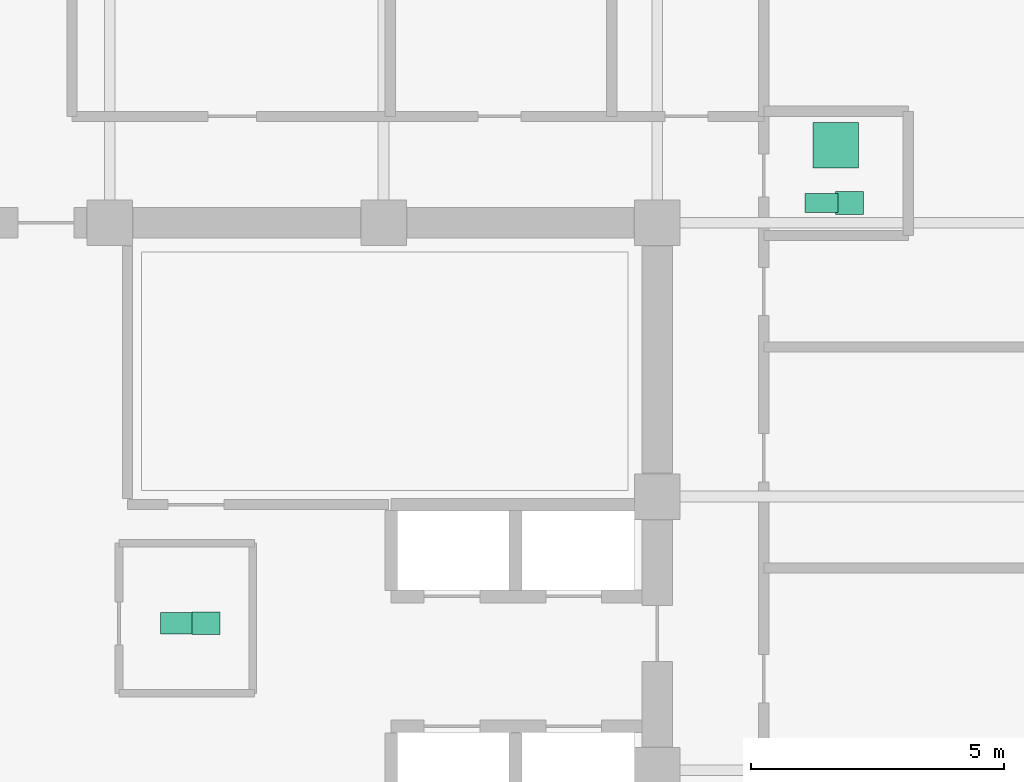
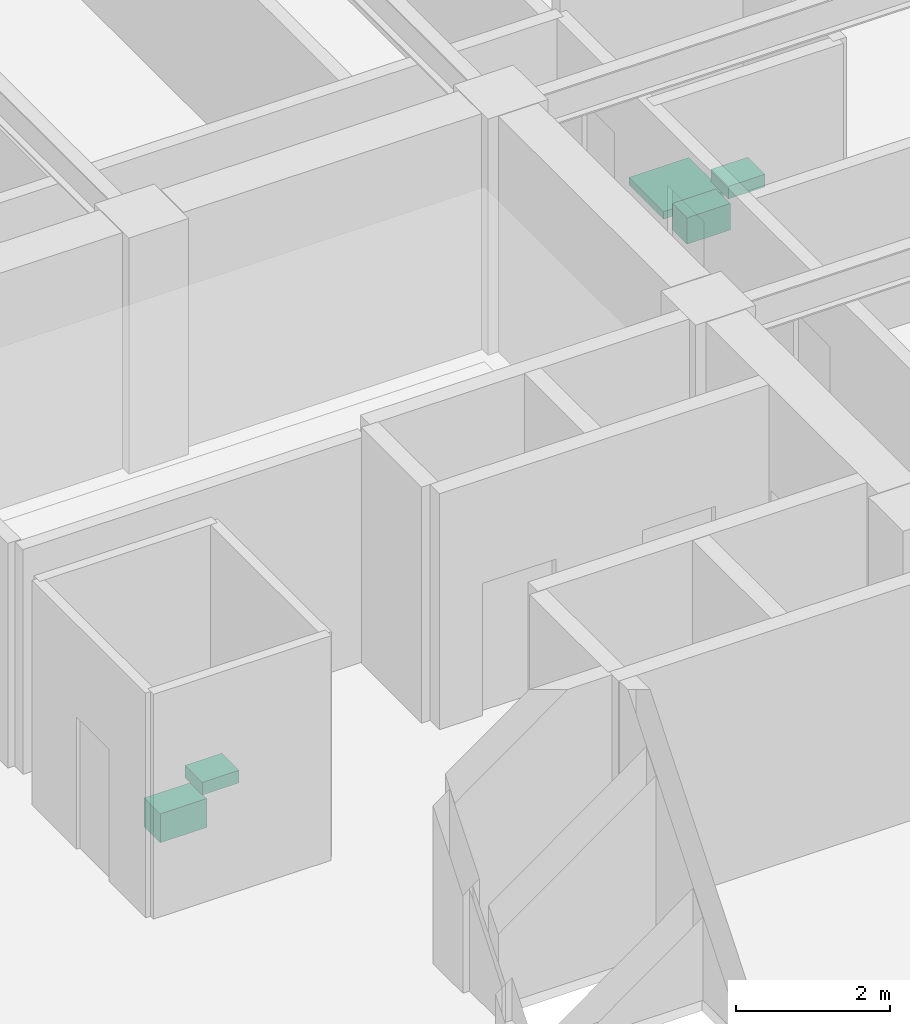
# One storey, part 28 of 28: 5 sanitary terminals.
"""IFC4 building model written with IfcOpenShell, lengths in metres."""

from ifc_helpers import new_model, si_unit, direction, frame, origin, origin_2d, place, context, subcontext, project, spatial, rectangle, extrude, material, type_object, element, save


model = new_model("IFC4")

# Units and contexts
model_context = context("Model", 3, precision=1e-05, world=origin(), true_north=direction((0.0, 1.0)))
body_context = subcontext(model_context, "Body", "Model", "MODEL_VIEW")
ifc_project = project(units=[si_unit("LENGTHUNIT", "METRE"), si_unit("AREAUNIT", "SQUARE_METRE"), si_unit("VOLUMEUNIT", "CUBIC_METRE"), si_unit("PLANEANGLEUNIT", "RADIAN"), si_unit("MASSUNIT", "GRAM", prefix="KILO")], contexts=[model_context])

# Site, building, storey
site_placement = place(None, origin())
site = spatial("IfcSite", under=ifc_project, at=site_placement, CompositionType="ELEMENT")
building_placement = place(site_placement, origin())
building = spatial("IfcBuilding", under=site, at=building_placement, Name="Surkhivell Harbour Commons", CompositionType="ELEMENT")
storey_placement = place(building_placement, frame((0.0, 0.0, 178.5)))
storey = spatial("IfcBuildingStorey", under=building, at=storey_placement, Name="L46", CompositionType="ELEMENT", Elevation=178.5)

# Sanitary terminals
ifc_material_1 = material(Name="Vitreous china washbasin", Category="other")
sanitary_terminal_type_1 = type_object("IfcSanitaryTerminalType", Name="SAN-BSN", PredefinedType="WASHHANDBASIN", material=ifc_material_1)
for number, where, z_axis, x_axis, name in (
    (1, (1.89990234375, 2.89990234375, 0.72021484375), (0.0, 0.0, 1.0), (1.0, 0.0, 0.0), "L46 Core Accessible WC Washbasin"),
    (2, (14.590087890625, 11.18994140625, 0.72021484375), (0.0, 0.0, 1.0), (1.0, 0.0, 0.0), "L46 East Communal Bathroom WC Washbasin"),
):
    element("IfcSanitaryTerminal", number, at=place(storey_placement, frame(where, z_axis=z_axis, x_axis=x_axis)), inside=storey, type_object=sanitary_terminal_type_1, Name=name, PredefinedType="WASHHANDBASIN", context=body_context, shape_type="SweptSolid", body=[
        extrude(rectangle(XDim=0.550048828125, YDim=0.449951171875, at=origin_2d()), origin(), (0.0, 0.0, 1.0), 0.199951171875),
    ])
ifc_material_2 = material(Name="Glazed porcelain shower tray", Category="other")
sanitary_terminal_type_2 = type_object("IfcSanitaryTerminalType", Name="SAN-SHW", PredefinedType="SHOWER", material=ifc_material_2)
sanitary_terminal_1_placement = place(storey_placement, frame((14.320068359375, 12.330078125, 0.0), z_axis=(0.0, 0.0, 1.0), x_axis=(1.0, 0.0, 0.0)))
element("IfcSanitaryTerminal", 3, at=sanitary_terminal_1_placement, inside=storey, type_object=sanitary_terminal_type_2, Name="L46 East Communal Shower Tray", PredefinedType="SHOWER", context=body_context, shape_type="SweptSolid", body=[
    extrude(rectangle(XDim=0.89990234375, YDim=0.89990234375, at=origin_2d()), origin(), (0.0, 0.0, 1.0), 0.1201171875),
])
ifc_material_3 = material(Name="Vitreous china sanitaryware", Category="other")
sanitary_terminal_type_3 = type_object("IfcSanitaryTerminalType", Name="SAN-WC-ACC", PredefinedType="TOILETPAN", material=ifc_material_3)
sanitary_terminal_2_placement = place(storey_placement, frame((1.35009765625, 2.89990234375, 0.169921875), z_axis=(0.0, 0.0, 1.0), x_axis=(1.0, 0.0, 0.0)))
element("IfcSanitaryTerminal", 4, at=sanitary_terminal_2_placement, inside=storey, type_object=sanitary_terminal_type_3, Name="L46 Core Accessible WC", PredefinedType="TOILETPAN", context=body_context, shape_type="SweptSolid", body=[
    extrude(rectangle(XDim=0.699951171875, YDim=0.419921875, at=origin_2d()), origin(), (0.0, 0.0, 1.0), 0.4599609375),
])
sanitary_terminal_type_4 = type_object("IfcSanitaryTerminalType", Name="SAN-WC-STD", PredefinedType="TOILETPAN", material=ifc_material_3)
sanitary_terminal_3_placement = place(storey_placement, frame((14.0400390625, 11.18994140625, 0.18994140625), z_axis=(0.0, 0.0, 1.0), x_axis=(1.0, 0.0, 0.0)))
element("IfcSanitaryTerminal", 5, at=sanitary_terminal_3_placement, inside=storey, type_object=sanitary_terminal_type_4, Name="L46 East Communal Bathroom WC", PredefinedType="TOILETPAN", context=body_context, shape_type="SweptSolid", body=[
    extrude(rectangle(XDim=0.64990234375, YDim=0.3798828125, at=origin_2d()), origin(), (0.0, 0.0, 1.0), 0.419921875),
])

save(model, "model.ifc")
